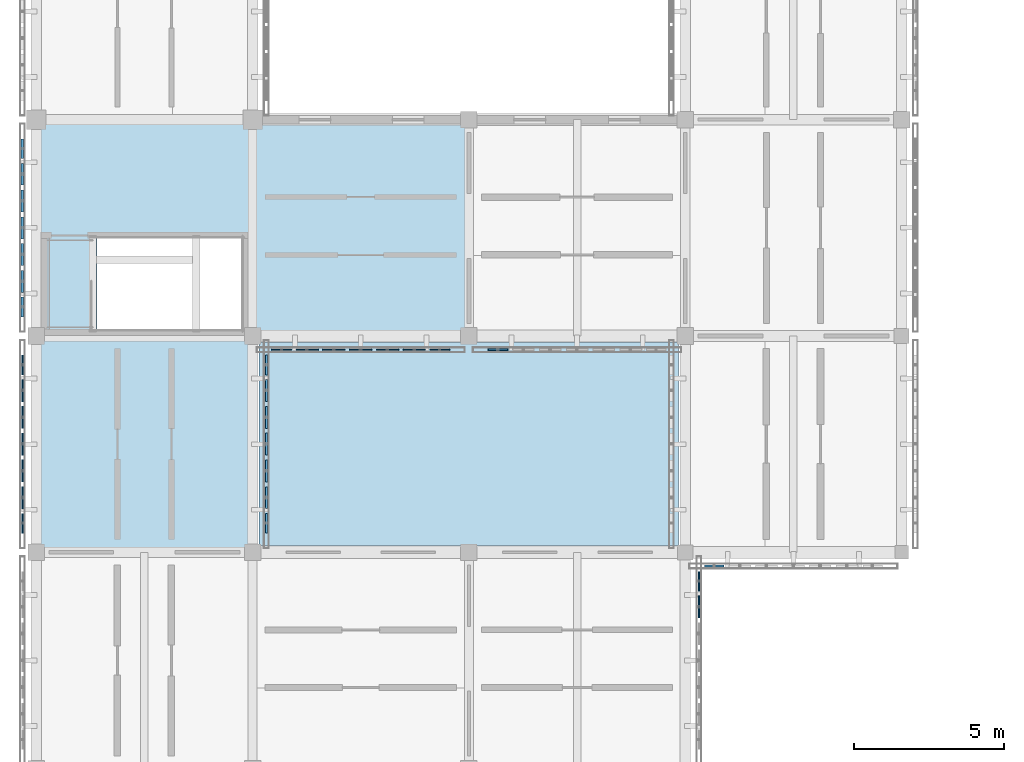
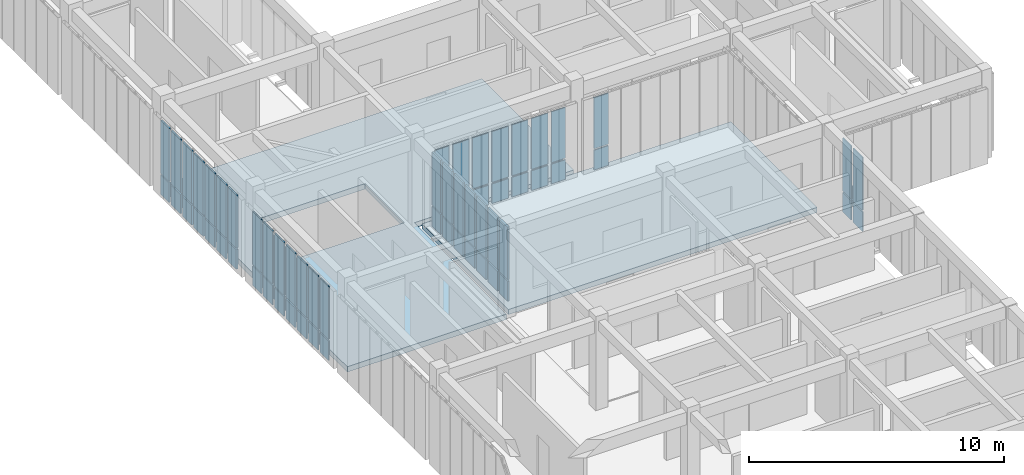
# One storey, part 47 of 91: 63 plates, 2 slabs, 7 elements without a shape of their own.
"""IFC4 building model written with IfcOpenShell, lengths in metres."""

from ifc_helpers import new_model, si_unit, direction, frame, origin, origin_2d, place, context, subcontext, project, spatial, polyline, rectangle, outline, extrude, material, layer, layer_set, type_object, element, aggregate, save


model = new_model("IFC4")

# Units and contexts
model_context = context("Model", 3, precision=1e-05, world=origin(), true_north=direction((0.0, 1.0)))
body_context = subcontext(model_context, "Body", "Model", "MODEL_VIEW")
ifc_project = project(units=[si_unit("LENGTHUNIT", "METRE"), si_unit("AREAUNIT", "SQUARE_METRE"), si_unit("VOLUMEUNIT", "CUBIC_METRE"), si_unit("PLANEANGLEUNIT", "RADIAN"), si_unit("MASSUNIT", "GRAM", prefix="KILO")], contexts=[model_context])

# Site, building, storey
site_placement = place(None, origin())
site = spatial("IfcSite", under=ifc_project, at=site_placement, CompositionType="ELEMENT")
building_placement = place(site_placement, origin())
building = spatial("IfcBuilding", under=site, at=building_placement, Name="Aldebral Square Health Centre", CompositionType="ELEMENT")
storey_placement = place(building_placement, frame((0.0, 0.0, 9.0)))
storey = spatial("IfcBuildingStorey", under=building, at=storey_placement, Name="L02", CompositionType="ELEMENT", Elevation=9.0)

# Curtain wall, plates
ifc_material_1 = material(Name="Aluminium and low-E solar glass", Category="aluminium")
curtain_wall_type = type_object("IfcCurtainWallType", Name="CW-FIN-SYS", PredefinedType="USERDEFINED", material=ifc_material_1)
curtain_wall_1_placement = place(storey_placement, origin())
curtain_wall_1 = element("IfcCurtainWall", 1, at=curtain_wall_1_placement, inside=storey, type_object=curtain_wall_type, Name="L02 V4 finned curtain wall L02-V4-01-08-S", ObjectType="SOLAR_CURTAIN_WALL", PredefinedType="USERDEFINED")
ifc_material_2 = material(Name="Solar-control low-E double glass", Category="glass")
ifc_layer_1 = layer(ifc_material_2, 0.0400390625, Name="Solar-control low-E double glass", Category="glass")
ifc_layer_set_1 = layer_set([ifc_layer_1], Name="Solar-control low-E double glass")
plate_type_1 = type_object("IfcPlateType", Name="CWP-GLZ-3", PredefinedType="CURTAIN_PANEL", material=ifc_layer_set_1)
plate_1_placement = place(storey_placement, frame((8.165771484375, 57.139892578125, 0.074951171875), z_axis=(0.0, 0.0, 1.0), x_axis=(1.0, 0.0, 0.0)))
plate_1 = element("IfcPlate", 2, at=plate_1_placement, type_object=plate_type_1, Name="CW1 panel 1.1", PredefinedType="CURTAIN_PANEL", context=body_context, shape_type="SweptSolid", body=[
    extrude(rectangle(XDim=0.6513671875, YDim=0.0400390625, at=origin_2d()), origin(), (0.0, 0.0, 1.0), 0.9375),
])
plate_2_placement = place(storey_placement, frame((8.165771484375, 57.139892578125, 1.08740234375), z_axis=(0.0, 0.0, 1.0), x_axis=(1.0, 0.0, 0.0)))
plate_2 = element("IfcPlate", 3, at=plate_2_placement, type_object=plate_type_1, Name="CW1 panel 1.2", PredefinedType="CURTAIN_PANEL", context=body_context, shape_type="SweptSolid", body=[
    extrude(rectangle(XDim=0.6513671875, YDim=0.0400390625, at=origin_2d()), origin(), (0.0, 0.0, 1.0), 2.427490234375),
])
plate_3_placement = place(storey_placement, frame((9.01708984375, 57.139892578125, 0.074951171875), z_axis=(0.0, 0.0, 1.0), x_axis=(1.0, 0.0, 0.0)))
plate_3 = element("IfcPlate", 4, at=plate_3_placement, type_object=plate_type_1, Name="CW1 panel 2.1", PredefinedType="CURTAIN_PANEL", context=body_context, shape_type="SweptSolid", body=[
    extrude(rectangle(XDim=0.7314453125, YDim=0.0400390625, at=origin_2d()), origin(), (0.0, 0.0, 1.0), 0.9375),
])
plate_4_placement = place(storey_placement, frame((9.01708984375, 57.139892578125, 1.08740234375), z_axis=(0.0, 0.0, 1.0), x_axis=(1.0, 0.0, 0.0)))
plate_4 = element("IfcPlate", 5, at=plate_4_placement, type_object=plate_type_1, Name="CW1 panel 2.2", PredefinedType="CURTAIN_PANEL", context=body_context, shape_type="SweptSolid", body=[
    extrude(rectangle(XDim=0.7314453125, YDim=0.0400390625, at=origin_2d()), origin(), (0.0, 0.0, 1.0), 2.427490234375),
])
plate_5_placement = place(storey_placement, frame((9.90869140625, 57.139892578125, 0.074951171875), z_axis=(0.0, 0.0, 1.0), x_axis=(1.0, 0.0, 0.0)))
plate_5 = element("IfcPlate", 6, at=plate_5_placement, type_object=plate_type_1, Name="CW1 panel 3.1", PredefinedType="CURTAIN_PANEL", context=body_context, shape_type="SweptSolid", body=[
    extrude(rectangle(XDim=0.7314453125, YDim=0.0400390625, at=origin_2d()), origin(), (0.0, 0.0, 1.0), 0.9375),
])
plate_6_placement = place(storey_placement, frame((9.90869140625, 57.139892578125, 1.08740234375), z_axis=(0.0, 0.0, 1.0), x_axis=(1.0, 0.0, 0.0)))
plate_6 = element("IfcPlate", 7, at=plate_6_placement, type_object=plate_type_1, Name="CW1 panel 3.2", PredefinedType="CURTAIN_PANEL", context=body_context, shape_type="SweptSolid", body=[
    extrude(rectangle(XDim=0.7314453125, YDim=0.0400390625, at=origin_2d()), origin(), (0.0, 0.0, 1.0), 2.427490234375),
])
plate_7_placement = place(storey_placement, frame((10.800048828125, 57.139892578125, 0.074951171875), z_axis=(0.0, 0.0, 1.0), x_axis=(1.0, 0.0, 0.0)))
plate_7 = element("IfcPlate", 8, at=plate_7_placement, type_object=plate_type_1, Name="CW1 panel 4.1", PredefinedType="CURTAIN_PANEL", context=body_context, shape_type="SweptSolid", body=[
    extrude(rectangle(XDim=0.7314453125, YDim=0.0400390625, at=origin_2d()), origin(), (0.0, 0.0, 1.0), 0.9375),
])
plate_8_placement = place(storey_placement, frame((10.800048828125, 57.139892578125, 1.08740234375), z_axis=(0.0, 0.0, 1.0), x_axis=(1.0, 0.0, 0.0)))
plate_8 = element("IfcPlate", 9, at=plate_8_placement, type_object=plate_type_1, Name="CW1 panel 4.2", PredefinedType="CURTAIN_PANEL", context=body_context, shape_type="SweptSolid", body=[
    extrude(rectangle(XDim=0.7314453125, YDim=0.0400390625, at=origin_2d()), origin(), (0.0, 0.0, 1.0), 2.427490234375),
])
plate_9_placement = place(storey_placement, frame((11.69140625, 57.139892578125, 0.074951171875), z_axis=(0.0, 0.0, 1.0), x_axis=(1.0, 0.0, 0.0)))
plate_9 = element("IfcPlate", 10, at=plate_9_placement, type_object=plate_type_1, Name="CW1 panel 5.1", PredefinedType="CURTAIN_PANEL", context=body_context, shape_type="SweptSolid", body=[
    extrude(rectangle(XDim=0.7314453125, YDim=0.0400390625, at=origin_2d()), origin(), (0.0, 0.0, 1.0), 0.9375),
])
plate_10_placement = place(storey_placement, frame((11.69140625, 57.139892578125, 1.08740234375), z_axis=(0.0, 0.0, 1.0), x_axis=(1.0, 0.0, 0.0)))
plate_10 = element("IfcPlate", 11, at=plate_10_placement, type_object=plate_type_1, Name="CW1 panel 5.2", PredefinedType="CURTAIN_PANEL", context=body_context, shape_type="SweptSolid", body=[
    extrude(rectangle(XDim=0.7314453125, YDim=0.0400390625, at=origin_2d()), origin(), (0.0, 0.0, 1.0), 2.427490234375),
])
plate_11_placement = place(storey_placement, frame((12.582763671875, 57.139892578125, 0.074951171875), z_axis=(0.0, 0.0, 1.0), x_axis=(1.0, 0.0, 0.0)))
plate_11 = element("IfcPlate", 12, at=plate_11_placement, type_object=plate_type_1, Name="CW1 panel 6.1", PredefinedType="CURTAIN_PANEL", context=body_context, shape_type="SweptSolid", body=[
    extrude(rectangle(XDim=0.7314453125, YDim=0.0400390625, at=origin_2d()), origin(), (0.0, 0.0, 1.0), 0.9375),
])
plate_12_placement = place(storey_placement, frame((12.582763671875, 57.139892578125, 1.08740234375), z_axis=(0.0, 0.0, 1.0), x_axis=(1.0, 0.0, 0.0)))
plate_12 = element("IfcPlate", 13, at=plate_12_placement, type_object=plate_type_1, Name="CW1 panel 6.2", PredefinedType="CURTAIN_PANEL", context=body_context, shape_type="SweptSolid", body=[
    extrude(rectangle(XDim=0.7314453125, YDim=0.0400390625, at=origin_2d()), origin(), (0.0, 0.0, 1.0), 2.427490234375),
])
plate_13_placement = place(storey_placement, frame((13.434326171875, 57.139892578125, 0.074951171875), z_axis=(0.0, 0.0, 1.0), x_axis=(1.0, 0.0, 0.0)))
plate_13 = element("IfcPlate", 14, at=plate_13_placement, type_object=plate_type_1, Name="CW1 panel 7.1", PredefinedType="CURTAIN_PANEL", context=body_context, shape_type="SweptSolid", body=[
    extrude(rectangle(XDim=0.6513671875, YDim=0.0400390625, at=origin_2d()), origin(), (0.0, 0.0, 1.0), 0.9375),
])
plate_14_placement = place(storey_placement, frame((13.434326171875, 57.139892578125, 1.08740234375), z_axis=(0.0, 0.0, 1.0), x_axis=(1.0, 0.0, 0.0)))
plate_14 = element("IfcPlate", 15, at=plate_14_placement, type_object=plate_type_1, Name="CW1 panel 7.2", PredefinedType="CURTAIN_PANEL", context=body_context, shape_type="SweptSolid", body=[
    extrude(rectangle(XDim=0.6513671875, YDim=0.0400390625, at=origin_2d()), origin(), (0.0, 0.0, 1.0), 2.427490234375),
])
aggregate(curtain_wall_1, [plate_1, plate_2, plate_3, plate_4, plate_5, plate_6, plate_7, plate_8, plate_9, plate_10, plate_11, plate_12, plate_13, plate_14])

curtain_wall_2_placement = place(storey_placement, origin())
curtain_wall_2 = element("IfcCurtainWall", 16, at=curtain_wall_2_placement, inside=storey, type_object=curtain_wall_type, Name="L02 V6 finned curtain wall L02-V6-02-06-E", ObjectType="SOLAR_CURTAIN_WALL", PredefinedType="USERDEFINED")
ifc_layer_2 = layer(ifc_material_2, 0.050048828125, Name="Solar-control low-E double glass", Category="glass")
ifc_layer_set_2 = layer_set([ifc_layer_2], Name="Solar-control low-E double glass")
plate_type_2 = type_object("IfcPlateType", Name="CWP-GLZ-4", PredefinedType="CURTAIN_PANEL", material=ifc_layer_set_2)
plate_15_placement = place(storey_placement, frame((22.06005859375, 48.582763671875, 0.074951171875), z_axis=(0.0, 0.0, 1.0), x_axis=(0.0, 1.0, 0.0)))
plate_15 = element("IfcPlate", 17, at=plate_15_placement, type_object=plate_type_2, Name="CW1 panel 6.1", PredefinedType="CURTAIN_PANEL", context=body_context, shape_type="SweptSolid", body=[
    extrude(rectangle(XDim=0.7314453125, YDim=0.050048828125, at=origin_2d()), origin(), (0.0, 0.0, 1.0), 0.9375),
])
plate_16_placement = place(storey_placement, frame((22.06005859375, 48.582763671875, 1.08740234375), z_axis=(0.0, 0.0, 1.0), x_axis=(0.0, 1.0, 0.0)))
plate_16 = element("IfcPlate", 18, at=plate_16_placement, type_object=plate_type_2, Name="CW1 panel 6.2", PredefinedType="CURTAIN_PANEL", context=body_context, shape_type="SweptSolid", body=[
    extrude(rectangle(XDim=0.7314453125, YDim=0.050048828125, at=origin_2d()), origin(), (0.0, 0.0, 1.0), 2.527587890625),
])
plate_17_placement = place(storey_placement, frame((22.06005859375, 49.434326171875, 0.074951171875), z_axis=(0.0, 0.0, 1.0), x_axis=(0.0, 1.0, 0.0)))
plate_17 = element("IfcPlate", 19, at=plate_17_placement, type_object=plate_type_2, Name="CW1 panel 7.1", PredefinedType="CURTAIN_PANEL", context=body_context, shape_type="SweptSolid", body=[
    extrude(rectangle(XDim=0.6513671875, YDim=0.050048828125, at=origin_2d()), origin(), (0.0, 0.0, 1.0), 0.9375),
])
plate_18_placement = place(storey_placement, frame((22.06005859375, 49.434326171875, 1.08740234375), z_axis=(0.0, 0.0, 1.0), x_axis=(0.0, 1.0, 0.0)))
plate_18 = element("IfcPlate", 20, at=plate_18_placement, type_object=plate_type_2, Name="CW1 panel 7.2", PredefinedType="CURTAIN_PANEL", context=body_context, shape_type="SweptSolid", body=[
    extrude(rectangle(XDim=0.6513671875, YDim=0.050048828125, at=origin_2d()), origin(), (0.0, 0.0, 1.0), 2.527587890625),
])
aggregate(curtain_wall_2, [plate_15, plate_16, plate_17, plate_18])

curtain_wall_3_placement = place(storey_placement, origin())
curtain_wall_3 = element("IfcCurtainWall", 21, at=curtain_wall_3_placement, inside=storey, type_object=curtain_wall_type, Name="L02 V4 finned curtain wall L02-V4-00-07-W", ObjectType="SOLAR_CURTAIN_WALL", PredefinedType="USERDEFINED")
ifc_layer_3 = layer(ifc_material_2, 0.06005859375, Name="Solar-control low-E double glass", Category="glass")
ifc_layer_set_3 = layer_set([ifc_layer_3], Name="Solar-control low-E double glass")
plate_type_3 = type_object("IfcPlateType", Name="CWP-GLZ-5", PredefinedType="CURTAIN_PANEL", material=ifc_layer_set_3)
plate_19_placement = place(storey_placement, frame((-0.4599609375, 56.63427734375, 0.074951171875), z_axis=(0.0, 0.0, 1.0), x_axis=(0.0, -1.0, 0.0)))
plate_19 = element("IfcPlate", 22, at=plate_19_placement, type_object=plate_type_3, Name="CW1 panel 1.1", PredefinedType="CURTAIN_PANEL", context=body_context, shape_type="SweptSolid", body=[
    extrude(rectangle(XDim=0.6513671875, YDim=0.06005859375, at=origin_2d()), origin(), (0.0, 0.0, 1.0), 0.9375),
])
plate_20_placement = place(storey_placement, frame((-0.4599609375, 56.63427734375, 1.08740234375), z_axis=(0.0, 0.0, 1.0), x_axis=(0.0, -1.0, 0.0)))
plate_20 = element("IfcPlate", 23, at=plate_20_placement, type_object=plate_type_3, Name="CW1 panel 1.2", PredefinedType="CURTAIN_PANEL", context=body_context, shape_type="SweptSolid", body=[
    extrude(rectangle(XDim=0.6513671875, YDim=0.06005859375, at=origin_2d()), origin(), (0.0, 0.0, 1.0), 2.527587890625),
])
plate_21_placement = place(storey_placement, frame((-0.4599609375, 55.782958984375, 0.074951171875), z_axis=(0.0, 0.0, 1.0), x_axis=(0.0, -1.0, 0.0)))
plate_21 = element("IfcPlate", 24, at=plate_21_placement, type_object=plate_type_3, Name="CW1 panel 2.1", PredefinedType="CURTAIN_PANEL", context=body_context, shape_type="SweptSolid", body=[
    extrude(rectangle(XDim=0.7314453125, YDim=0.06005859375, at=origin_2d()), origin(), (0.0, 0.0, 1.0), 0.9375),
])
plate_22_placement = place(storey_placement, frame((-0.4599609375, 55.782958984375, 1.08740234375), z_axis=(0.0, 0.0, 1.0), x_axis=(0.0, -1.0, 0.0)))
plate_22 = element("IfcPlate", 25, at=plate_22_placement, type_object=plate_type_3, Name="CW1 panel 2.2", PredefinedType="CURTAIN_PANEL", context=body_context, shape_type="SweptSolid", body=[
    extrude(rectangle(XDim=0.7314453125, YDim=0.06005859375, at=origin_2d()), origin(), (0.0, 0.0, 1.0), 2.527587890625),
])
plate_23_placement = place(storey_placement, frame((-0.4599609375, 54.891357421875, 0.074951171875), z_axis=(0.0, 0.0, 1.0), x_axis=(0.0, -1.0, 0.0)))
plate_23 = element("IfcPlate", 26, at=plate_23_placement, type_object=plate_type_3, Name="CW1 panel 3.1", PredefinedType="CURTAIN_PANEL", context=body_context, shape_type="SweptSolid", body=[
    extrude(rectangle(XDim=0.7314453125, YDim=0.06005859375, at=origin_2d()), origin(), (0.0, 0.0, 1.0), 0.9375),
])
plate_24_placement = place(storey_placement, frame((-0.4599609375, 54.891357421875, 1.08740234375), z_axis=(0.0, 0.0, 1.0), x_axis=(0.0, -1.0, 0.0)))
plate_24 = element("IfcPlate", 27, at=plate_24_placement, type_object=plate_type_3, Name="CW1 panel 3.2", PredefinedType="CURTAIN_PANEL", context=body_context, shape_type="SweptSolid", body=[
    extrude(rectangle(XDim=0.7314453125, YDim=0.06005859375, at=origin_2d()), origin(), (0.0, 0.0, 1.0), 2.527587890625),
])
plate_25_placement = place(storey_placement, frame((-0.4599609375, 54.0, 0.074951171875), z_axis=(0.0, 0.0, 1.0), x_axis=(0.0, -1.0, 0.0)))
plate_25 = element("IfcPlate", 28, at=plate_25_placement, type_object=plate_type_3, Name="CW1 panel 4.1", PredefinedType="CURTAIN_PANEL", context=body_context, shape_type="SweptSolid", body=[
    extrude(rectangle(XDim=0.7314453125, YDim=0.06005859375, at=origin_2d()), origin(), (0.0, 0.0, 1.0), 0.9375),
])
plate_26_placement = place(storey_placement, frame((-0.4599609375, 54.0, 1.08740234375), z_axis=(0.0, 0.0, 1.0), x_axis=(0.0, -1.0, 0.0)))
plate_26 = element("IfcPlate", 29, at=plate_26_placement, type_object=plate_type_3, Name="CW1 panel 4.2", PredefinedType="CURTAIN_PANEL", context=body_context, shape_type="SweptSolid", body=[
    extrude(rectangle(XDim=0.7314453125, YDim=0.06005859375, at=origin_2d()), origin(), (0.0, 0.0, 1.0), 2.527587890625),
])
plate_27_placement = place(storey_placement, frame((-0.4599609375, 53.108642578125, 0.074951171875), z_axis=(0.0, 0.0, 1.0), x_axis=(0.0, -1.0, 0.0)))
plate_27 = element("IfcPlate", 30, at=plate_27_placement, type_object=plate_type_3, Name="CW1 panel 5.1", PredefinedType="CURTAIN_PANEL", context=body_context, shape_type="SweptSolid", body=[
    extrude(rectangle(XDim=0.7314453125, YDim=0.06005859375, at=origin_2d()), origin(), (0.0, 0.0, 1.0), 0.9375),
])
plate_28_placement = place(storey_placement, frame((-0.4599609375, 53.108642578125, 1.08740234375), z_axis=(0.0, 0.0, 1.0), x_axis=(0.0, -1.0, 0.0)))
plate_28 = element("IfcPlate", 31, at=plate_28_placement, type_object=plate_type_3, Name="CW1 panel 5.2", PredefinedType="CURTAIN_PANEL", context=body_context, shape_type="SweptSolid", body=[
    extrude(rectangle(XDim=0.7314453125, YDim=0.06005859375, at=origin_2d()), origin(), (0.0, 0.0, 1.0), 2.527587890625),
])
plate_29_placement = place(storey_placement, frame((-0.4599609375, 52.217041015625, 0.074951171875), z_axis=(0.0, 0.0, 1.0), x_axis=(0.0, -1.0, 0.0)))
plate_29 = element("IfcPlate", 32, at=plate_29_placement, type_object=plate_type_3, Name="CW1 panel 6.1", PredefinedType="CURTAIN_PANEL", context=body_context, shape_type="SweptSolid", body=[
    extrude(rectangle(XDim=0.7314453125, YDim=0.06005859375, at=origin_2d()), origin(), (0.0, 0.0, 1.0), 0.9375),
])
plate_30_placement = place(storey_placement, frame((-0.4599609375, 52.217041015625, 1.08740234375), z_axis=(0.0, 0.0, 1.0), x_axis=(0.0, -1.0, 0.0)))
plate_30 = element("IfcPlate", 33, at=plate_30_placement, type_object=plate_type_3, Name="CW1 panel 6.2", PredefinedType="CURTAIN_PANEL", context=body_context, shape_type="SweptSolid", body=[
    extrude(rectangle(XDim=0.7314453125, YDim=0.06005859375, at=origin_2d()), origin(), (0.0, 0.0, 1.0), 2.527587890625),
])
plate_31_placement = place(storey_placement, frame((-0.4599609375, 51.36572265625, 0.074951171875), z_axis=(0.0, 0.0, 1.0), x_axis=(0.0, -1.0, 0.0)))
plate_31 = element("IfcPlate", 34, at=plate_31_placement, type_object=plate_type_3, Name="CW1 panel 7.1", PredefinedType="CURTAIN_PANEL", context=body_context, shape_type="SweptSolid", body=[
    extrude(rectangle(XDim=0.6513671875, YDim=0.06005859375, at=origin_2d()), origin(), (0.0, 0.0, 1.0), 0.9375),
])
plate_32_placement = place(storey_placement, frame((-0.4599609375, 51.36572265625, 1.08740234375), z_axis=(0.0, 0.0, 1.0), x_axis=(0.0, -1.0, 0.0)))
plate_32 = element("IfcPlate", 35, at=plate_32_placement, type_object=plate_type_3, Name="CW1 panel 7.2", PredefinedType="CURTAIN_PANEL", context=body_context, shape_type="SweptSolid", body=[
    extrude(rectangle(XDim=0.6513671875, YDim=0.06005859375, at=origin_2d()), origin(), (0.0, 0.0, 1.0), 2.527587890625),
])
aggregate(curtain_wall_3, [plate_19, plate_20, plate_21, plate_22, plate_23, plate_24, plate_25, plate_26, plate_27, plate_28, plate_29, plate_30, plate_31, plate_32])

curtain_wall_4_placement = place(storey_placement, origin())
curtain_wall_4 = element("IfcCurtainWall", 36, at=curtain_wall_4_placement, inside=storey, type_object=curtain_wall_type, Name="L02 V4 finned curtain wall L02-V4-02-08-S", ObjectType="SOLAR_CURTAIN_WALL", PredefinedType="USERDEFINED")
plate_33_placement = place(storey_placement, frame((15.36572265625, 57.139892578125, 0.074951171875), z_axis=(0.0, 0.0, 1.0), x_axis=(1.0, 0.0, 0.0)))
plate_33 = element("IfcPlate", 37, at=plate_33_placement, type_object=plate_type_3, Name="CW1 panel 1.1", PredefinedType="CURTAIN_PANEL", context=body_context, shape_type="SweptSolid", body=[
    extrude(rectangle(XDim=0.6513671875, YDim=0.06005859375, at=origin_2d()), origin(), (0.0, 0.0, 1.0), 0.9375),
])
plate_34_placement = place(storey_placement, frame((15.36572265625, 57.139892578125, 1.08740234375), z_axis=(0.0, 0.0, 1.0), x_axis=(1.0, 0.0, 0.0)))
plate_34 = element("IfcPlate", 38, at=plate_34_placement, type_object=plate_type_3, Name="CW1 panel 1.2", PredefinedType="CURTAIN_PANEL", context=body_context, shape_type="SweptSolid", body=[
    extrude(rectangle(XDim=0.6513671875, YDim=0.06005859375, at=origin_2d()), origin(), (0.0, 0.0, 1.0), 2.427490234375),
])
aggregate(curtain_wall_4, [plate_33, plate_34])

curtain_wall_5_placement = place(storey_placement, origin())
curtain_wall_5 = element("IfcCurtainWall", 39, at=curtain_wall_5_placement, inside=storey, type_object=curtain_wall_type, Name="L02 V4 finned curtain wall L02-V4-00-07-E", ObjectType="SOLAR_CURTAIN_WALL", PredefinedType="USERDEFINED")
ifc_layer_4 = layer(ifc_material_2, 0.070068359375, Name="Solar-control low-E double glass", Category="glass")
ifc_layer_set_4 = layer_set([ifc_layer_4], Name="Solar-control low-E double glass")
plate_type_4 = type_object("IfcPlateType", Name="CWP-GLZ-6", PredefinedType="CURTAIN_PANEL", material=ifc_layer_set_4)
plate_35_placement = place(storey_placement, frame((7.659912109375, 51.36572265625, 0.074951171875), z_axis=(0.0, 0.0, 1.0), x_axis=(0.0, 1.0, 0.0)))
plate_35 = element("IfcPlate", 40, at=plate_35_placement, type_object=plate_type_4, Name="CW1 panel 1.1", PredefinedType="CURTAIN_PANEL", context=body_context, shape_type="SweptSolid", body=[
    extrude(rectangle(XDim=0.6513671875, YDim=0.070068359375, at=origin_2d()), origin(), (0.0, 0.0, 1.0), 0.9375),
])
plate_36_placement = place(storey_placement, frame((7.659912109375, 51.36572265625, 1.08740234375), z_axis=(0.0, 0.0, 1.0), x_axis=(0.0, 1.0, 0.0)))
plate_36 = element("IfcPlate", 41, at=plate_36_placement, type_object=plate_type_4, Name="CW1 panel 1.2", PredefinedType="CURTAIN_PANEL", context=body_context, shape_type="SweptSolid", body=[
    extrude(rectangle(XDim=0.6513671875, YDim=0.070068359375, at=origin_2d()), origin(), (0.0, 0.0, 1.0), 2.527587890625),
])
plate_37_placement = place(storey_placement, frame((7.659912109375, 52.217041015625, 0.074951171875), z_axis=(0.0, 0.0, 1.0), x_axis=(0.0, 1.0, 0.0)))
plate_37 = element("IfcPlate", 42, at=plate_37_placement, type_object=plate_type_4, Name="CW1 panel 2.1", PredefinedType="CURTAIN_PANEL", context=body_context, shape_type="SweptSolid", body=[
    extrude(rectangle(XDim=0.7314453125, YDim=0.070068359375, at=origin_2d()), origin(), (0.0, 0.0, 1.0), 0.9375),
])
plate_38_placement = place(storey_placement, frame((7.659912109375, 52.217041015625, 1.08740234375), z_axis=(0.0, 0.0, 1.0), x_axis=(0.0, 1.0, 0.0)))
plate_38 = element("IfcPlate", 43, at=plate_38_placement, type_object=plate_type_4, Name="CW1 panel 2.2", PredefinedType="CURTAIN_PANEL", context=body_context, shape_type="SweptSolid", body=[
    extrude(rectangle(XDim=0.7314453125, YDim=0.070068359375, at=origin_2d()), origin(), (0.0, 0.0, 1.0), 2.527587890625),
])
plate_39_placement = place(storey_placement, frame((7.659912109375, 53.108642578125, 0.074951171875), z_axis=(0.0, 0.0, 1.0), x_axis=(0.0, 1.0, 0.0)))
plate_39 = element("IfcPlate", 44, at=plate_39_placement, type_object=plate_type_4, Name="CW1 panel 3.1", PredefinedType="CURTAIN_PANEL", context=body_context, shape_type="SweptSolid", body=[
    extrude(rectangle(XDim=0.7314453125, YDim=0.070068359375, at=origin_2d()), origin(), (0.0, 0.0, 1.0), 0.9375),
])
plate_40_placement = place(storey_placement, frame((7.659912109375, 53.108642578125, 1.08740234375), z_axis=(0.0, 0.0, 1.0), x_axis=(0.0, 1.0, 0.0)))
plate_40 = element("IfcPlate", 45, at=plate_40_placement, type_object=plate_type_4, Name="CW1 panel 3.2", PredefinedType="CURTAIN_PANEL", context=body_context, shape_type="SweptSolid", body=[
    extrude(rectangle(XDim=0.7314453125, YDim=0.070068359375, at=origin_2d()), origin(), (0.0, 0.0, 1.0), 2.527587890625),
])
plate_41_placement = place(storey_placement, frame((7.659912109375, 54.0, 0.074951171875), z_axis=(0.0, 0.0, 1.0), x_axis=(0.0, 1.0, 0.0)))
plate_41 = element("IfcPlate", 46, at=plate_41_placement, type_object=plate_type_4, Name="CW1 panel 4.1", PredefinedType="CURTAIN_PANEL", context=body_context, shape_type="SweptSolid", body=[
    extrude(rectangle(XDim=0.7314453125, YDim=0.070068359375, at=origin_2d()), origin(), (0.0, 0.0, 1.0), 0.9375),
])
plate_42_placement = place(storey_placement, frame((7.659912109375, 54.0, 1.08740234375), z_axis=(0.0, 0.0, 1.0), x_axis=(0.0, 1.0, 0.0)))
plate_42 = element("IfcPlate", 47, at=plate_42_placement, type_object=plate_type_4, Name="CW1 panel 4.2", PredefinedType="CURTAIN_PANEL", context=body_context, shape_type="SweptSolid", body=[
    extrude(rectangle(XDim=0.7314453125, YDim=0.070068359375, at=origin_2d()), origin(), (0.0, 0.0, 1.0), 2.527587890625),
])
plate_43_placement = place(storey_placement, frame((7.659912109375, 54.891357421875, 0.074951171875), z_axis=(0.0, 0.0, 1.0), x_axis=(0.0, 1.0, 0.0)))
plate_43 = element("IfcPlate", 48, at=plate_43_placement, type_object=plate_type_4, Name="CW1 panel 5.1", PredefinedType="CURTAIN_PANEL", context=body_context, shape_type="SweptSolid", body=[
    extrude(rectangle(XDim=0.7314453125, YDim=0.070068359375, at=origin_2d()), origin(), (0.0, 0.0, 1.0), 0.9375),
])
plate_44_placement = place(storey_placement, frame((7.659912109375, 54.891357421875, 1.08740234375), z_axis=(0.0, 0.0, 1.0), x_axis=(0.0, 1.0, 0.0)))
plate_44 = element("IfcPlate", 49, at=plate_44_placement, type_object=plate_type_4, Name="CW1 panel 5.2", PredefinedType="CURTAIN_PANEL", context=body_context, shape_type="SweptSolid", body=[
    extrude(rectangle(XDim=0.7314453125, YDim=0.070068359375, at=origin_2d()), origin(), (0.0, 0.0, 1.0), 2.527587890625),
])
plate_45_placement = place(storey_placement, frame((7.659912109375, 55.782958984375, 0.074951171875), z_axis=(0.0, 0.0, 1.0), x_axis=(0.0, 1.0, 0.0)))
plate_45 = element("IfcPlate", 50, at=plate_45_placement, type_object=plate_type_4, Name="CW1 panel 6.1", PredefinedType="CURTAIN_PANEL", context=body_context, shape_type="SweptSolid", body=[
    extrude(rectangle(XDim=0.7314453125, YDim=0.070068359375, at=origin_2d()), origin(), (0.0, 0.0, 1.0), 0.9375),
])
plate_46_placement = place(storey_placement, frame((7.659912109375, 55.782958984375, 1.08740234375), z_axis=(0.0, 0.0, 1.0), x_axis=(0.0, 1.0, 0.0)))
plate_46 = element("IfcPlate", 51, at=plate_46_placement, type_object=plate_type_4, Name="CW1 panel 6.2", PredefinedType="CURTAIN_PANEL", context=body_context, shape_type="SweptSolid", body=[
    extrude(rectangle(XDim=0.7314453125, YDim=0.070068359375, at=origin_2d()), origin(), (0.0, 0.0, 1.0), 2.527587890625),
])
plate_47_placement = place(storey_placement, frame((7.659912109375, 56.63427734375, 0.074951171875), z_axis=(0.0, 0.0, 1.0), x_axis=(0.0, 1.0, 0.0)))
plate_47 = element("IfcPlate", 52, at=plate_47_placement, type_object=plate_type_4, Name="CW1 panel 7.1", PredefinedType="CURTAIN_PANEL", context=body_context, shape_type="SweptSolid", body=[
    extrude(rectangle(XDim=0.6513671875, YDim=0.070068359375, at=origin_2d()), origin(), (0.0, 0.0, 1.0), 0.9375),
])
plate_48_placement = place(storey_placement, frame((7.659912109375, 56.63427734375, 1.08740234375), z_axis=(0.0, 0.0, 1.0), x_axis=(0.0, 1.0, 0.0)))
plate_48 = element("IfcPlate", 53, at=plate_48_placement, type_object=plate_type_4, Name="CW1 panel 7.2", PredefinedType="CURTAIN_PANEL", context=body_context, shape_type="SweptSolid", body=[
    extrude(rectangle(XDim=0.6513671875, YDim=0.070068359375, at=origin_2d()), origin(), (0.0, 0.0, 1.0), 2.527587890625),
])
aggregate(curtain_wall_5, [plate_35, plate_36, plate_37, plate_38, plate_39, plate_40, plate_41, plate_42, plate_43, plate_44, plate_45, plate_46, plate_47, plate_48])

# Curtain wall, plate
curtain_wall_6_placement = place(storey_placement, origin())
curtain_wall_6 = element("IfcCurtainWall", 54, at=curtain_wall_6_placement, inside=storey, type_object=curtain_wall_type, Name="L02 V4 finned curtain wall L02-V4-03-07-S", ObjectType="SOLAR_CURTAIN_WALL", PredefinedType="USERDEFINED")
plate_49_placement = place(storey_placement, frame((22.565673828125, 49.93994140625, 0.074951171875), z_axis=(0.0, 0.0, 1.0), x_axis=(1.0, 0.0, 0.0)))
plate_49 = element("IfcPlate", 55, at=plate_49_placement, type_object=plate_type_4, Name="CW1 panel 1.1", PredefinedType="CURTAIN_PANEL", context=body_context, shape_type="SweptSolid", body=[
    extrude(rectangle(XDim=0.6513671875, YDim=0.070068359375, at=origin_2d()), origin(), (0.0, 0.0, 1.0), 0.9375),
])
aggregate(curtain_wall_6, [plate_49])

# Curtain wall, plates
curtain_wall_7_placement = place(storey_placement, origin())
curtain_wall_7 = element("IfcCurtainWall", 56, at=curtain_wall_7_placement, inside=storey, type_object=curtain_wall_type, Name="L02 V4 finned curtain wall L02-V4-00-08-W", ObjectType="SOLAR_CURTAIN_WALL", PredefinedType="USERDEFINED")
ifc_layer_5 = layer(ifc_material_2, 0.080078125, Name="Solar-control low-E double glass", Category="glass")
ifc_layer_set_5 = layer_set([ifc_layer_5], Name="Solar-control low-E double glass")
plate_type_5 = type_object("IfcPlateType", Name="CWP-GLZ-7", PredefinedType="CURTAIN_PANEL", material=ifc_layer_set_5)
plate_50_placement = place(storey_placement, frame((-0.4599609375, 63.834228515625, 0.074951171875), z_axis=(0.0, 0.0, 1.0), x_axis=(0.0, -1.0, 0.0)))
plate_50 = element("IfcPlate", 57, at=plate_50_placement, type_object=plate_type_5, Name="CW1 panel 1.1", PredefinedType="CURTAIN_PANEL", context=body_context, shape_type="SweptSolid", body=[
    extrude(rectangle(XDim=0.6513671875, YDim=0.080078125, at=origin_2d()), origin(), (0.0, 0.0, 1.0), 0.9375),
])
plate_51_placement = place(storey_placement, frame((-0.4599609375, 63.834228515625, 1.08740234375), z_axis=(0.0, 0.0, 1.0), x_axis=(0.0, -1.0, 0.0)))
plate_51 = element("IfcPlate", 58, at=plate_51_placement, type_object=plate_type_5, Name="CW1 panel 1.2", PredefinedType="CURTAIN_PANEL", context=body_context, shape_type="SweptSolid", body=[
    extrude(rectangle(XDim=0.6513671875, YDim=0.080078125, at=origin_2d()), origin(), (0.0, 0.0, 1.0), 2.527587890625),
])
plate_52_placement = place(storey_placement, frame((-0.4599609375, 62.98291015625, 0.074951171875), z_axis=(0.0, 0.0, 1.0), x_axis=(0.0, -1.0, 0.0)))
plate_52 = element("IfcPlate", 59, at=plate_52_placement, type_object=plate_type_5, Name="CW1 panel 2.1", PredefinedType="CURTAIN_PANEL", context=body_context, shape_type="SweptSolid", body=[
    extrude(rectangle(XDim=0.7314453125, YDim=0.080078125, at=origin_2d()), origin(), (0.0, 0.0, 1.0), 0.9375),
])
plate_53_placement = place(storey_placement, frame((-0.4599609375, 62.98291015625, 1.08740234375), z_axis=(0.0, 0.0, 1.0), x_axis=(0.0, -1.0, 0.0)))
plate_53 = element("IfcPlate", 60, at=plate_53_placement, type_object=plate_type_5, Name="CW1 panel 2.2", PredefinedType="CURTAIN_PANEL", context=body_context, shape_type="SweptSolid", body=[
    extrude(rectangle(XDim=0.7314453125, YDim=0.080078125, at=origin_2d()), origin(), (0.0, 0.0, 1.0), 2.527587890625),
])
plate_54_placement = place(storey_placement, frame((-0.4599609375, 62.09130859375, 0.074951171875), z_axis=(0.0, 0.0, 1.0), x_axis=(0.0, -1.0, 0.0)))
plate_54 = element("IfcPlate", 61, at=plate_54_placement, type_object=plate_type_5, Name="CW1 panel 3.1", PredefinedType="CURTAIN_PANEL", context=body_context, shape_type="SweptSolid", body=[
    extrude(rectangle(XDim=0.7314453125, YDim=0.080078125, at=origin_2d()), origin(), (0.0, 0.0, 1.0), 0.9375),
])
plate_55_placement = place(storey_placement, frame((-0.4599609375, 62.09130859375, 1.08740234375), z_axis=(0.0, 0.0, 1.0), x_axis=(0.0, -1.0, 0.0)))
plate_55 = element("IfcPlate", 62, at=plate_55_placement, type_object=plate_type_5, Name="CW1 panel 3.2", PredefinedType="CURTAIN_PANEL", context=body_context, shape_type="SweptSolid", body=[
    extrude(rectangle(XDim=0.7314453125, YDim=0.080078125, at=origin_2d()), origin(), (0.0, 0.0, 1.0), 2.527587890625),
])
plate_56_placement = place(storey_placement, frame((-0.4599609375, 61.199951171875, 0.074951171875), z_axis=(0.0, 0.0, 1.0), x_axis=(0.0, -1.0, 0.0)))
plate_56 = element("IfcPlate", 63, at=plate_56_placement, type_object=plate_type_5, Name="CW1 panel 4.1", PredefinedType="CURTAIN_PANEL", context=body_context, shape_type="SweptSolid", body=[
    extrude(rectangle(XDim=0.7314453125, YDim=0.080078125, at=origin_2d()), origin(), (0.0, 0.0, 1.0), 0.9375),
])
plate_57_placement = place(storey_placement, frame((-0.4599609375, 61.199951171875, 1.08740234375), z_axis=(0.0, 0.0, 1.0), x_axis=(0.0, -1.0, 0.0)))
plate_57 = element("IfcPlate", 64, at=plate_57_placement, type_object=plate_type_5, Name="CW1 panel 4.2", PredefinedType="CURTAIN_PANEL", context=body_context, shape_type="SweptSolid", body=[
    extrude(rectangle(XDim=0.7314453125, YDim=0.080078125, at=origin_2d()), origin(), (0.0, 0.0, 1.0), 2.527587890625),
])
plate_58_placement = place(storey_placement, frame((-0.4599609375, 60.30859375, 0.074951171875), z_axis=(0.0, 0.0, 1.0), x_axis=(0.0, -1.0, 0.0)))
plate_58 = element("IfcPlate", 65, at=plate_58_placement, type_object=plate_type_5, Name="CW1 panel 5.1", PredefinedType="CURTAIN_PANEL", context=body_context, shape_type="SweptSolid", body=[
    extrude(rectangle(XDim=0.7314453125, YDim=0.080078125, at=origin_2d()), origin(), (0.0, 0.0, 1.0), 0.9375),
])
plate_59_placement = place(storey_placement, frame((-0.4599609375, 60.30859375, 1.08740234375), z_axis=(0.0, 0.0, 1.0), x_axis=(0.0, -1.0, 0.0)))
plate_59 = element("IfcPlate", 66, at=plate_59_placement, type_object=plate_type_5, Name="CW1 panel 5.2", PredefinedType="CURTAIN_PANEL", context=body_context, shape_type="SweptSolid", body=[
    extrude(rectangle(XDim=0.7314453125, YDim=0.080078125, at=origin_2d()), origin(), (0.0, 0.0, 1.0), 2.527587890625),
])
plate_60_placement = place(storey_placement, frame((-0.4599609375, 59.417236328125, 0.074951171875), z_axis=(0.0, 0.0, 1.0), x_axis=(0.0, -1.0, 0.0)))
plate_60 = element("IfcPlate", 67, at=plate_60_placement, type_object=plate_type_5, Name="CW1 panel 6.1", PredefinedType="CURTAIN_PANEL", context=body_context, shape_type="SweptSolid", body=[
    extrude(rectangle(XDim=0.7314453125, YDim=0.080078125, at=origin_2d()), origin(), (0.0, 0.0, 1.0), 0.9375),
])
plate_61_placement = place(storey_placement, frame((-0.4599609375, 59.417236328125, 1.08740234375), z_axis=(0.0, 0.0, 1.0), x_axis=(0.0, -1.0, 0.0)))
plate_61 = element("IfcPlate", 68, at=plate_61_placement, type_object=plate_type_5, Name="CW1 panel 6.2", PredefinedType="CURTAIN_PANEL", context=body_context, shape_type="SweptSolid", body=[
    extrude(rectangle(XDim=0.7314453125, YDim=0.080078125, at=origin_2d()), origin(), (0.0, 0.0, 1.0), 2.527587890625),
])
plate_62_placement = place(storey_placement, frame((-0.4599609375, 58.565673828125, 0.074951171875), z_axis=(0.0, 0.0, 1.0), x_axis=(0.0, -1.0, 0.0)))
plate_62 = element("IfcPlate", 69, at=plate_62_placement, type_object=plate_type_5, Name="CW1 panel 7.1", PredefinedType="CURTAIN_PANEL", context=body_context, shape_type="SweptSolid", body=[
    extrude(rectangle(XDim=0.6513671875, YDim=0.080078125, at=origin_2d()), origin(), (0.0, 0.0, 1.0), 0.9375),
])
plate_63_placement = place(storey_placement, frame((-0.4599609375, 58.565673828125, 1.08740234375), z_axis=(0.0, 0.0, 1.0), x_axis=(0.0, -1.0, 0.0)))
plate_63 = element("IfcPlate", 70, at=plate_63_placement, type_object=plate_type_5, Name="CW1 panel 7.2", PredefinedType="CURTAIN_PANEL", context=body_context, shape_type="SweptSolid", body=[
    extrude(rectangle(XDim=0.6513671875, YDim=0.080078125, at=origin_2d()), origin(), (0.0, 0.0, 1.0), 2.527587890625),
])
aggregate(curtain_wall_7, [plate_50, plate_51, plate_52, plate_53, plate_54, plate_55, plate_56, plate_57, plate_58, plate_59, plate_60, plate_61, plate_62, plate_63])

# Slabs
ifc_material_3 = material(Name="Concrete C35/45", Category="concrete")
ifc_layer_6 = layer(ifc_material_3, 0.260009765625, Name="Concrete C35/45", Category="concrete")
ifc_layer_set_6 = layer_set([ifc_layer_6], Name="Concrete C35/45")
slab_type_1 = type_object("IfcSlabType", Name="SL-FLR-260", PredefinedType="FLOOR", material=ifc_layer_set_6)
slab_1_placement = place(storey_placement, frame((0.0, 0.0, -0.260009765625)))
element("IfcSlab", 71, at=slab_1_placement, inside=storey, type_object=slab_type_1, Name="L02 V4 floor slab 1", PredefinedType="FLOOR", context=body_context, shape_type="SweptSolid", body=[
    extrude(outline(polyline([(0.0, 50.39990234375), (0.0, 57.60009765625), (0.0, 64.800048828125), (7.199951171875, 64.800048828125), (14.39990234375, 64.800048828125), (14.39990234375, 57.60009765625), (7.199951171875, 57.60009765625), (7.199951171875, 50.39990234375), (0.0, 50.39990234375)]), holes=[polyline([(6.860107421875, 60.8798828125), (2.02001953125, 60.8798828125), (2.02001953125, 57.800048828125), (6.860107421875, 57.800048828125), (6.860107421875, 60.8798828125)])]), origin(), (0.0, 0.0, 1.0), 0.260009765625),
])
ifc_layer_7 = layer(ifc_material_3, 0.239990234375, Name="Concrete C35/45", Category="concrete")
ifc_layer_set_7 = layer_set([ifc_layer_7], Name="Concrete C35/45")
slab_type_2 = type_object("IfcSlabType", Name="SL-RF-240", PredefinedType="ROOF", material=ifc_layer_set_7)
slab_2_placement = place(storey_placement, frame((0.0, 0.0, -0.239990234375)))
element("IfcSlab", 72, at=slab_2_placement, inside=storey, type_object=slab_type_2, Name="L01 V4 roof slab 1", PredefinedType="ROOF", context=body_context, shape_type="SweptSolid", body=[
    extrude(outline(polyline([(21.3798828125, 50.6201171875), (7.419921875, 50.6201171875), (7.419921875, 57.3798828125), (21.3798828125, 57.3798828125), (21.3798828125, 50.6201171875)])), origin(), (0.0, 0.0, 1.0), 0.239990234375),
])

save(model, "model.ifc")
